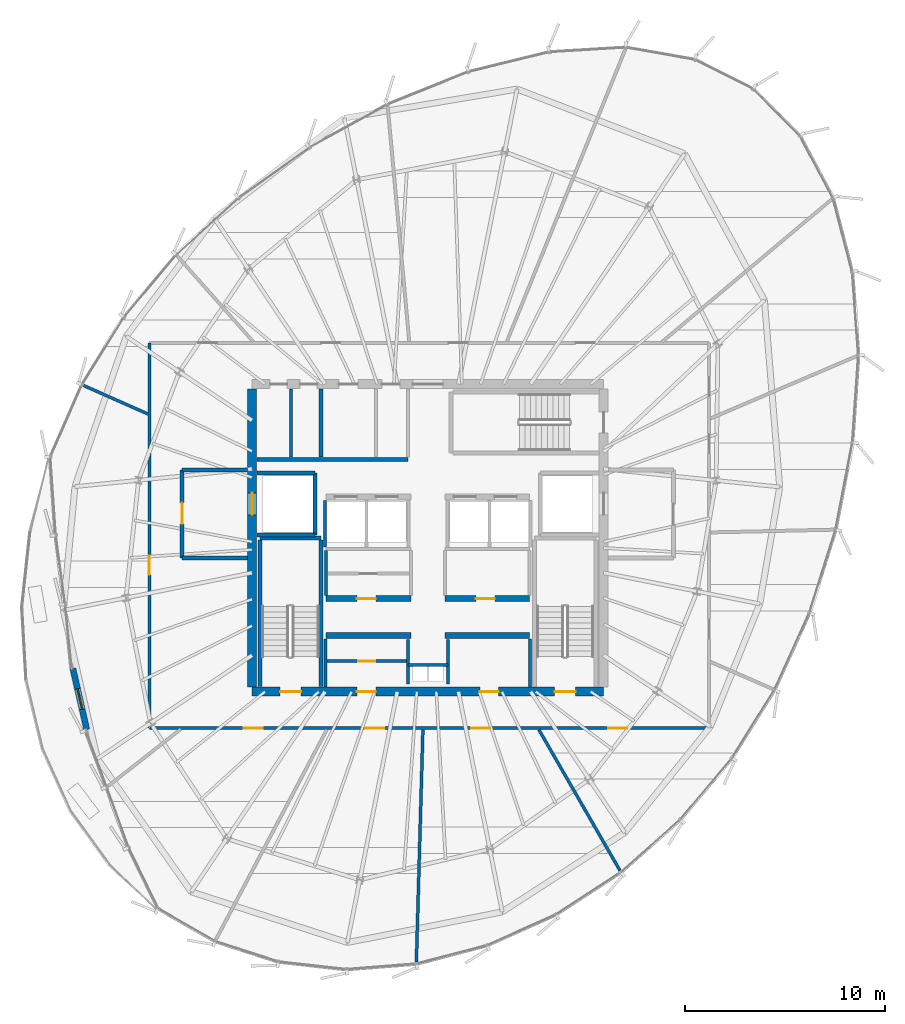
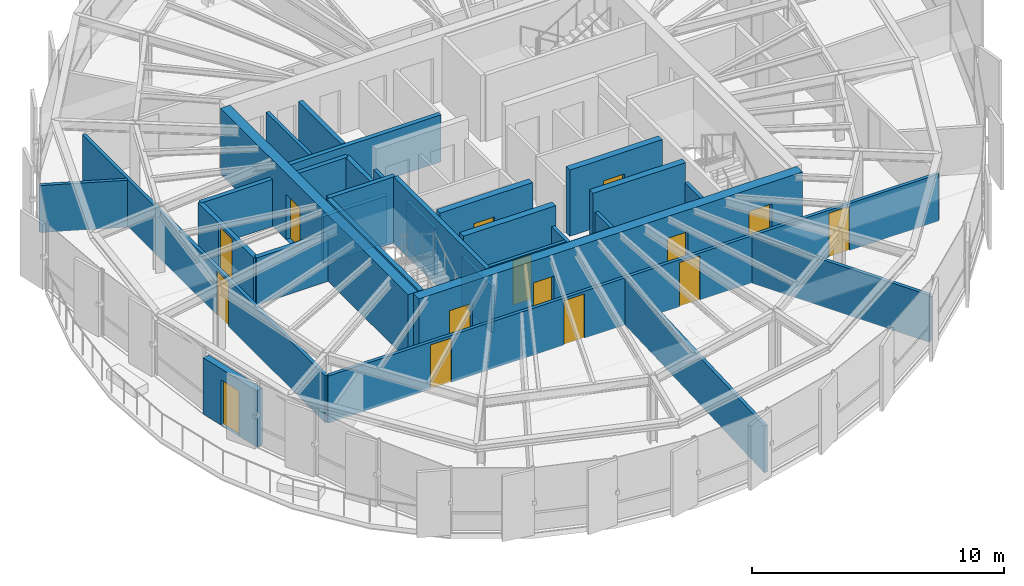
# One storey, part 26 of 32: 32 walls, 15 doors, 15 openings.
"""IFC4 building model written with IfcOpenShell, lengths in metres."""

from ifc_helpers import new_model, si_unit, direction, frame, frame_2d, origin, place, context, subcontext, project, spatial, rectangle, extrude, source, transform, mapped, material, layer, layer_set, type_object, element, fill, save


model = new_model("IFC4")

# Units and contexts
model_context = context("Model", 3, precision=1e-05, world=origin(), true_north=direction((0.0, 1.0)))
body_context = subcontext(model_context, "Body", "Model", "MODEL_VIEW")
ifc_project = project(units=[si_unit("LENGTHUNIT", "METRE"), si_unit("AREAUNIT", "SQUARE_METRE"), si_unit("VOLUMEUNIT", "CUBIC_METRE"), si_unit("PLANEANGLEUNIT", "RADIAN"), si_unit("MASSUNIT", "GRAM", prefix="KILO"), si_unit("THERMODYNAMICTEMPERATUREUNIT", "KELVIN")], contexts=[model_context])

# Site, building, storey
site_placement = place(None, origin())
site = spatial("IfcSite", under=ifc_project, at=site_placement, CompositionType="ELEMENT")
building_placement = place(site_placement, origin())
building = spatial("IfcBuilding", under=site, at=building_placement, Name="Kethvar Cultural Tower", CompositionType="ELEMENT")
storey_placement = place(building_placement, frame((0.0, 0.0, 252.550048828125)))
storey = spatial("IfcBuildingStorey", under=building, at=storey_placement, Name="L66", CompositionType="ELEMENT", Elevation=252.550048828125)

# Wall, openings, doors
ifc_material_1 = material(Name="Concrete C50/60", Category="concrete")
ifc_layer_1 = layer(ifc_material_1, 0.449951171875, Name="Concrete C50/60", Category="concrete")
ifc_layer_set_1 = layer_set([ifc_layer_1], Name="Concrete C50/60 (450 mm)")
wall_type_1 = type_object("IfcWallType", Name="WL-CORE-450", PredefinedType="SHEAR", material=ifc_layer_set_1)
wall_1_placement = place(storey_placement, frame((38.0, 20.10009765625, 0.0), z_axis=(0.0, 0.0, 1.0), x_axis=(1.0, 0.0, 0.0)))
wall_1 = element("IfcWall", 1, at=wall_1_placement, inside=storey, type_object=wall_type_1, Name="L66 Core Shear Wall S", PredefinedType="SHEAR", context=body_context, shape_type="SweptSolid", body=[
    extrude(rectangle(XDim=17.60009765625, YDim=0.449951171875, at=frame_2d((8.800048828125, 0.0))), origin(), (0.0, 0.0, 1.0), 3.2099609375),
])
opening_1_placement = place(wall_1_placement, frame((1.39990234375, 0.0, 0.0)))
opening_1 = element("IfcOpeningElement", 2, at=opening_1_placement, cuts=wall_1, Name="Opening D-L66-S1", PredefinedType="OPENING", context=body_context, shape_type="SweptSolid", body=[
    extrude(rectangle(XDim=1.050048828125, YDim=2.14990234375, at=frame_2d((0.52490234375, 1.074951171875))), frame((0.0, 0.23486328125, 0.0), z_axis=(0.0, -1.0, 0.0), x_axis=(1.0, 0.0, 0.0)), (0.0, 0.0, 1.0), 0.469970703125),
])
opening_2_placement = place(wall_1_placement, frame((15.14990234375, 0.0, 0.0)))
opening_2 = element("IfcOpeningElement", 3, at=opening_2_placement, cuts=wall_1, Name="Opening D-L66-ST2", PredefinedType="OPENING", context=body_context, shape_type="SweptSolid", body=[
    extrude(rectangle(XDim=1.050048828125, YDim=2.14990234375, at=frame_2d((0.52490234375, 1.074951171875))), frame((0.0, 0.23486328125, 0.0), z_axis=(0.0, -1.0, 0.0), x_axis=(1.0, 0.0, 0.0)), (0.0, 0.0, 1.0), 0.469970703125),
])
opening_3_placement = place(wall_1_placement, frame((5.25, 0.0, 0.0)))
opening_3 = element("IfcOpeningElement", 4, at=opening_3_placement, cuts=wall_1, Name="Opening D-L66-V1", PredefinedType="OPENING", context=body_context, shape_type="SweptSolid", body=[
    extrude(rectangle(XDim=0.949951171875, YDim=2.14990234375, at=frame_2d((0.47509765625, 1.074951171875))), frame((0.0, 0.23486328125, 0.0), z_axis=(0.0, -1.0, 0.0), x_axis=(1.0, 0.0, 0.0)), (0.0, 0.0, 1.0), 0.469970703125),
])
opening_4_placement = place(wall_1_placement, frame((11.39990234375, 0.0, 0.0)))
opening_4 = element("IfcOpeningElement", 5, at=opening_4_placement, cuts=wall_1, Name="Opening D-L66-V2", PredefinedType="OPENING", context=body_context, shape_type="SweptSolid", body=[
    extrude(rectangle(XDim=0.949951171875, YDim=2.14990234375, at=frame_2d((0.47509765625, 1.074951171875))), frame((0.0, 0.23486328125, 0.0), z_axis=(0.0, -1.0, 0.0), x_axis=(1.0, 0.0, 0.0)), (0.0, 0.0, 1.0), 0.469970703125),
])
ifc_material_2 = material(Name="Steel S355J2", Category="steel")
door_type_1 = type_object("IfcDoorType", Name="DR-FD60-1050", OperationType="NOTDEFINED", PredefinedType="DOOR", material=ifc_material_2)
shared_shape_1 = source(origin(), body_context, "Body", "SweptSolid", [
    extrude(rectangle(XDim=1.050048828125, YDim=2.14990234375, at=frame_2d((0.52490234375, 1.074951171875))), frame((0.0, 0.02490234375, 0.0), z_axis=(0.0, -1.0, 0.0), x_axis=(1.0, 0.0, 0.0)), (0.0, 0.0, 1.0), 0.050048828125),
])
door_1_placement = place(opening_1_placement, origin())
door_1 = element("IfcDoor", 6, at=door_1_placement, inside=storey, type_object=door_type_1, Name="L66 Exit Stair 1 Door", OperationType="SINGLE_SWING_LEFT", OverallHeight=2.14990234375, OverallWidth=1.050048828125, PredefinedType="DOOR", context=body_context, shape_type="MappedRepresentation", body=[
    mapped(shared_shape_1, transform((0.0, 0.0, 0.0), scale=1.0)),
])
fill(opening_1, door_1)
door_2_placement = place(opening_2_placement, origin())
door_2 = element("IfcDoor", 7, at=door_2_placement, inside=storey, type_object=door_type_1, Name="L66 Exit Stair 2 Door", OperationType="SINGLE_SWING_RIGHT", OverallHeight=2.14990234375, OverallWidth=1.050048828125, PredefinedType="DOOR", context=body_context, shape_type="MappedRepresentation", body=[
    mapped(shared_shape_1, transform((0.0, 0.0, 0.0), scale=1.0)),
])
fill(opening_2, door_2)
ifc_material_3 = material(Name="Architectural Oak Timber", Category="wood")
door_type_2 = type_object("IfcDoorType", Name="DR-FD30-950", OperationType="NOTDEFINED", PredefinedType="DOOR", material=ifc_material_3)
shared_shape_2 = source(origin(), body_context, "Body", "SweptSolid", [
    extrude(rectangle(XDim=0.949951171875, YDim=2.14990234375, at=frame_2d((0.47509765625, 1.074951171875))), frame((0.0, 0.02490234375, 0.0), z_axis=(0.0, -1.0, 0.0), x_axis=(1.0, 0.0, 0.0)), (0.0, 0.0, 1.0), 0.050048828125),
])
door_3_placement = place(opening_3_placement, origin())
door_3 = element("IfcDoor", 8, at=door_3_placement, inside=storey, type_object=door_type_2, Name="L66 Reclaimed West South Door", OperationType="SINGLE_SWING_LEFT", OverallHeight=2.14990234375, OverallWidth=0.949951171875, PredefinedType="DOOR", context=body_context, shape_type="MappedRepresentation", body=[
    mapped(shared_shape_2, transform((0.0, 0.0, 0.0), scale=1.0)),
])
fill(opening_3, door_3)
door_4_placement = place(opening_4_placement, origin())
door_4 = element("IfcDoor", 9, at=door_4_placement, inside=storey, type_object=door_type_2, Name="L66 Reclaimed East Server Door", OperationType="SINGLE_SWING_RIGHT", OverallHeight=2.14990234375, OverallWidth=0.949951171875, PredefinedType="DOOR", context=body_context, shape_type="MappedRepresentation", body=[
    mapped(shared_shape_2, transform((0.0, 0.0, 0.0), scale=1.0)),
])
fill(opening_4, door_4)

# Wall, opening, door
wall_2_placement = place(storey_placement, frame((38.0, 35.260009765625, 0.0), z_axis=(0.0, 0.0, 1.0), x_axis=(0.0, -1.0, 0.0)))
wall_2 = element("IfcWall", 10, at=wall_2_placement, inside=storey, type_object=wall_type_1, Name="L66 Core Shear Wall W", PredefinedType="SHEAR", context=body_context, shape_type="SweptSolid", body=[
    extrude(rectangle(XDim=14.919921875, YDim=0.449951171875, at=frame_2d((7.4599609375, 0.0))), origin(), (0.0, 0.0, 1.0), 3.2099609375),
])
opening_5_placement = place(wall_2_placement, frame((5.2099609375, 0.0, 0.0)))
opening_5 = element("IfcOpeningElement", 11, at=opening_5_placement, cuts=wall_2, Name="Opening LD-1", PredefinedType="OPENING", context=body_context, shape_type="SweptSolid", body=[
    extrude(rectangle(XDim=1.10009765625, YDim=2.199951171875, at=frame_2d((0.550048828125, 1.10009765625))), frame((0.0, 0.23486328125, 0.0), z_axis=(0.0, -1.0, 0.0), x_axis=(1.0, 0.0, 0.0)), (0.0, 0.0, 1.0), 0.469970703125),
])
door_type_3 = type_object("IfcDoorType", Name="DR-LIFT-SLIDE-1100", OperationType="NOTDEFINED", PredefinedType="DOOR", material=ifc_material_2)
shared_shape_3 = source(origin(), body_context, "Body", "SweptSolid", [
    extrude(rectangle(XDim=1.10009765625, YDim=2.199951171875, at=frame_2d((0.550048828125, 1.10009765625))), frame((0.0, 0.02490234375, 0.0), z_axis=(0.0, -1.0, 0.0), x_axis=(1.0, 0.0, 0.0)), (0.0, 0.0, 1.0), 0.050048828125),
])
door_5_placement = place(opening_5_placement, origin())
door_5 = element("IfcDoor", 12, at=door_5_placement, inside=storey, type_object=door_type_3, Name="L66 Firefighting Lift Landing Door FFL-01", OperationType="SLIDING_TO_LEFT", OverallHeight=2.199951171875, OverallWidth=1.10009765625, PredefinedType="DOOR", context=body_context, shape_type="MappedRepresentation", body=[
    mapped(shared_shape_3, transform((0.0, 0.0, 0.0), scale=1.0)),
])
fill(opening_5, door_5)

ifc_material_4 = material(Name="Concrete C40/50", Category="concrete")
ifc_layer_2 = layer(ifc_material_4, 0.300048828125, Name="Concrete C40/50", Category="concrete")
ifc_layer_set_2 = layer_set([ifc_layer_2], Name="Concrete C40/50 (300 mm)")
wall_type_2 = type_object("IfcWallType", Name="WL-EXT-TER-300", PredefinedType="SOLIDWALL", material=ifc_layer_set_2)
wall_3_placement = place(storey_placement, frame((29.720947265625, 18.1923828125, 0.0), z_axis=(0.0, 0.0, 1.0), x_axis=(-0.221248249318, 0.97521752044, 0.0)))
wall_3 = element("IfcWall", 13, at=wall_3_placement, inside=storey, type_object=wall_type_2, Name="L66 Sky Terrace Access Wall", PredefinedType="SOLIDWALL", context=body_context, shape_type="SweptSolid", body=[
    extrude(rectangle(XDim=3.1416015625, YDim=0.300048828125, at=frame_2d((1.57080078125, 0.0))), origin(), (0.0, 0.0, 1.0), 2.73486328125),
])
opening_6_placement = place(wall_3_placement, frame((1.0458984375, 0.0, 0.0)))
opening_6 = element("IfcOpeningElement", 14, at=opening_6_placement, cuts=wall_3, Name="Opening D-L66-T1", PredefinedType="OPENING", context=body_context, shape_type="SweptSolid", body=[
    extrude(rectangle(XDim=1.050048828125, YDim=2.199951171875, at=frame_2d((0.52490234375, 1.10009765625))), frame((0.0, 0.159912109375, 0.0), z_axis=(0.0, -1.0, 0.0), x_axis=(1.0, 0.0, 0.0)), (0.0, 0.0, 1.0), 0.320068359375),
])
ifc_material_5 = material(Name="Aluminium 6063-T6", Category="aluminium")
door_type_4 = type_object("IfcDoorType", Name="DR-EXT-TER-1050", OperationType="NOTDEFINED", PredefinedType="DOOR", material=ifc_material_5)
shared_shape_4 = source(origin(), body_context, "Body", "SweptSolid", [
    extrude(rectangle(XDim=1.050048828125, YDim=2.199951171875, at=frame_2d((0.52490234375, 1.10009765625))), frame((0.0, 0.02490234375, 0.0), z_axis=(0.0, -1.0, 0.0), x_axis=(1.0, 0.0, 0.0)), (0.0, 0.0, 1.0), 0.050048828125),
])
door_6_placement = place(opening_6_placement, origin())
door_6 = element("IfcDoor", 15, at=door_6_placement, inside=storey, type_object=door_type_4, Name="L66 Sky Terrace Access Door D-L66-T1", OperationType="SINGLE_SWING_RIGHT", OverallHeight=2.199951171875, OverallWidth=1.050048828125, PredefinedType="DOOR", context=body_context, shape_type="MappedRepresentation", body=[
    mapped(shared_shape_4, transform((0.0, 0.0, 0.0), scale=1.0)),
])
fill(opening_6, door_6)

# Walls
ifc_material_6 = material(Name="Gypsum Fireboard Partition")
ifc_layer_3 = layer(ifc_material_6, 0.14990234375, Name="Gypsum Fireboard Partition")
ifc_layer_set_3 = layer_set([ifc_layer_3], Name="Gypsum Fireboard Partition (150 mm)")
wall_type_3 = type_object("IfcWallType", Name="WL-FIRE-150", PredefinedType="PARTITIONING", material=ifc_layer_set_3)
wall_4_placement = place(storey_placement, frame((45.800048828125, 21.419921875, 0.0), z_axis=(0.0, 0.0, 1.0), x_axis=(1.0, 0.0, 0.0)))
element("IfcWall", 16, at=wall_4_placement, inside=storey, type_object=wall_type_3, Name="L66 Core Riser Wall", PredefinedType="PARTITIONING", context=body_context, shape_type="SweptSolid", body=[
    extrude(rectangle(XDim=2.0, YDim=0.14990234375, at=frame_2d((1.0, 0.0))), origin(), (0.0, 0.0, 1.0), 2.280029296875),
])
for number, where, z_axis, x_axis, name in (
    (17, (45.800048828125, 20.47998046875, 0.0), (0.0, 0.0, 1.0), (0.0, 1.0, 0.0), "L66 Core Riser West Wall"),
    (18, (47.800048828125, 20.47998046875, 0.0), (0.0, 0.0, 1.0), (0.0, 1.0, 0.0), "L66 Core Riser East Wall"),
):
    element("IfcWall", number, at=place(storey_placement, frame(where, z_axis=z_axis, x_axis=x_axis)), inside=storey, type_object=wall_type_3, Name=name, PredefinedType="PARTITIONING", context=body_context, shape_type="SweptSolid", body=[
        extrude(rectangle(XDim=2.239990234375, YDim=0.14990234375, at=frame_2d((1.1201171875, 0.0))), origin(), (0.0, 0.0, 1.0), 2.280029296875),
    ])
for number, where, z_axis, x_axis, name in (
    (19, (41.679931640625, 20.3349609375, 0.0), (0.0, 0.0, 1.0), (0.0, 1.0, 0.0), "L66 Reclaimed West Outer Wall"),
    (20, (51.919921875, 20.3349609375, 0.0), (0.0, 0.0, 1.0), (0.0, 1.0, 0.0), "L66 Reclaimed East Outer Wall"),
):
    element("IfcWall", number, at=place(storey_placement, frame(where, z_axis=z_axis, x_axis=x_axis)), inside=storey, type_object=wall_type_3, Name=name, PredefinedType="PARTITIONING", context=body_context, shape_type="SweptSolid", body=[
        extrude(rectangle(XDim=2.39501953125, YDim=0.14990234375, at=frame_2d((1.197509765625, 0.0))), origin(), (0.0, 0.0, 1.0), 2.280029296875),
    ])

# Wall, opening, door
wall_5_placement = place(storey_placement, frame((41.760009765625, 21.6201171875, 0.0), z_axis=(0.0, 0.0, 1.0), x_axis=(1.0, 0.0, 0.0)))
wall_5 = element("IfcWall", 21, at=wall_5_placement, inside=storey, type_object=wall_type_3, Name="L66 Vault Gallery Wall W", PredefinedType="PARTITIONING", context=body_context, shape_type="SweptSolid", body=[
    extrude(rectangle(XDim=3.9599609375, YDim=0.14990234375, at=frame_2d((1.97998046875, 0.0))), origin(), (0.0, 0.0, 1.0), 2.280029296875),
])
opening_7_placement = place(wall_5_placement, frame((1.550048828125, 0.0, 0.0)))
opening_7 = element("IfcOpeningElement", 22, at=opening_7_placement, cuts=wall_5, Name="Opening D-L66-V3", PredefinedType="OPENING", context=body_context, shape_type="SweptSolid", body=[
    extrude(rectangle(XDim=0.85009765625, YDim=2.14990234375, at=frame_2d((0.425048828125, 1.074951171875))), frame((0.0, 0.0849609375, 0.0), z_axis=(0.0, -1.0, 0.0), x_axis=(1.0, 0.0, 0.0)), (0.0, 0.0, 1.0), 0.169921875),
])
door_type_5 = type_object("IfcDoorType", Name="DR-FD30-850", OperationType="NOTDEFINED", PredefinedType="DOOR", material=ifc_material_2)
shared_shape_5 = source(origin(), body_context, "Body", "SweptSolid", [
    extrude(rectangle(XDim=0.85009765625, YDim=2.14990234375, at=frame_2d((0.425048828125, 1.074951171875))), frame((0.0, 0.02490234375, 0.0), z_axis=(0.0, -1.0, 0.0), x_axis=(1.0, 0.0, 0.0)), (0.0, 0.0, 1.0), 0.050048828125),
])
door_7_placement = place(opening_7_placement, origin())
door_7 = element("IfcDoor", 23, at=door_7_placement, inside=storey, type_object=door_type_5, Name="L66 Inner Vault Gallery Door", OperationType="SINGLE_SWING_LEFT", OverallHeight=2.14990234375, OverallWidth=0.85009765625, PredefinedType="DOOR", context=body_context, shape_type="MappedRepresentation", body=[
    mapped(shared_shape_5, transform((0.0, 0.0, 0.0), scale=1.0)),
])
fill(opening_7, door_7)

# Walls
wall_6_placement = place(storey_placement, frame((41.699951171875, 24.919921875, 0.0), z_axis=(0.0, 0.0, 1.0), x_axis=(0.0, 1.0, 0.0)))
element("IfcWall", 24, at=wall_6_placement, inside=storey, type_object=wall_type_3, Name="L66 Reclaimed Mid Outer W", PredefinedType="PARTITIONING", context=body_context, shape_type="SweptSolid", body=[
    extrude(rectangle(XDim=2.239990234375, YDim=0.14990234375, at=frame_2d((1.1201171875, 0.0))), origin(), (0.0, 0.0, 1.0), 2.280029296875),
])
wall_7_placement = place(storey_placement, frame((41.64990234375, 27.340087890625, 0.0), z_axis=(0.0, 0.0, 1.0), x_axis=(0.0, 1.0, 0.0)))
element("IfcWall", 25, at=wall_7_placement, inside=storey, type_object=wall_type_3, Name="L66 High-Rise Lift Shaft Outer Wall W", PredefinedType="PARTITIONING", context=body_context, shape_type="SweptSolid", body=[
    extrude(rectangle(XDim=2.33984375, YDim=0.14990234375, at=frame_2d((1.169921875, 0.0))), origin(), (0.0, 0.0, 1.0), 2.280029296875),
])
wall_8_placement = place(storey_placement, frame((39.949951171875, 31.85009765625, 0.0), z_axis=(0.0, 0.0, 1.0), x_axis=(0.0, 1.0, 0.0)))
element("IfcWall", 26, at=wall_8_placement, inside=storey, type_object=wall_type_3, Name="L66 NW Riser Divider", PredefinedType="PARTITIONING", context=body_context, shape_type="SweptSolid", body=[
    extrude(rectangle(XDim=3.414794921875, YDim=0.14990234375, at=frame_2d((1.70751953125, 0.0))), origin(), (0.0, 0.0, 1.0), 2.280029296875),
])

# Wall, openings, doors
wall_9_placement = place(storey_placement, frame((32.85009765625, 18.26904296875, 0.0), z_axis=(0.0, 0.0, 1.0), x_axis=(1.0, 0.0, 0.0)))
wall_9 = element("IfcWall", 27, at=wall_9_placement, inside=storey, type_object=wall_type_3, Name="L66 Corridor Rated Wall S", PredefinedType="PARTITIONING", context=body_context, shape_type="SweptSolid", body=[
    extrude(rectangle(XDim=28.037841796875, YDim=0.14990234375, at=frame_2d((14.01904296875, 0.0))), origin(), (0.0, 0.0, 1.0), 2.280029296875),
])
opening_8_placement = place(wall_9_placement, frame((4.72021484375, 0.0, 0.0)))
opening_8 = element("IfcOpeningElement", 28, at=opening_8_placement, cuts=wall_9, Name="Opening D-L66-01", PredefinedType="OPENING", context=body_context, shape_type="SweptSolid", body=[
    extrude(rectangle(XDim=0.949951171875, YDim=2.14990234375, at=frame_2d((0.47509765625, 1.074951171875))), frame((0.0, 0.0849609375, 0.0), z_axis=(0.0, -1.0, 0.0), x_axis=(1.0, 0.0, 0.0)), (0.0, 0.0, 1.0), 0.169921875),
])
opening_9_placement = place(wall_9_placement, frame((10.823974609375, 0.0, 0.0)))
opening_9 = element("IfcOpeningElement", 29, at=opening_9_placement, cuts=wall_9, Name="Opening D-L66-02", PredefinedType="OPENING", context=body_context, shape_type="SweptSolid", body=[
    extrude(rectangle(XDim=0.949951171875, YDim=2.14990234375, at=frame_2d((0.47509765625, 1.074951171875))), frame((0.0, 0.0849609375, 0.0), z_axis=(0.0, -1.0, 0.0), x_axis=(1.0, 0.0, 0.0)), (0.0, 0.0, 1.0), 0.169921875),
])
opening_10_placement = place(wall_9_placement, frame((16.1318359375, 0.0, 0.0)))
opening_10 = element("IfcOpeningElement", 30, at=opening_10_placement, cuts=wall_9, Name="Opening D-L66-03", PredefinedType="OPENING", context=body_context, shape_type="SweptSolid", body=[
    extrude(rectangle(XDim=0.949951171875, YDim=2.14990234375, at=frame_2d((0.47509765625, 1.074951171875))), frame((0.0, 0.0849609375, 0.0), z_axis=(0.0, -1.0, 0.0), x_axis=(1.0, 0.0, 0.0)), (0.0, 0.0, 1.0), 0.169921875),
])
opening_11_placement = place(wall_9_placement, frame((22.987060546875, 0.0, 0.0)))
opening_11 = element("IfcOpeningElement", 31, at=opening_11_placement, cuts=wall_9, Name="Opening D-L66-04", PredefinedType="OPENING", context=body_context, shape_type="SweptSolid", body=[
    extrude(rectangle(XDim=0.949951171875, YDim=2.14990234375, at=frame_2d((0.47509765625, 1.074951171875))), frame((0.0, 0.0849609375, 0.0), z_axis=(0.0, -1.0, 0.0), x_axis=(1.0, 0.0, 0.0)), (0.0, 0.0, 1.0), 0.169921875),
])
door_8_placement = place(opening_8_placement, origin())
door_8 = element("IfcDoor", 32, at=door_8_placement, inside=storey, type_object=door_type_2, Name="L66 Curatorial Administration Office 01 Door", OperationType="SINGLE_SWING_LEFT", OverallHeight=2.14990234375, OverallWidth=0.949951171875, PredefinedType="DOOR", context=body_context, shape_type="MappedRepresentation", body=[
    mapped(shared_shape_2, transform((0.0, 0.0, 0.0), scale=1.0)),
])
fill(opening_8, door_8)
door_9_placement = place(opening_9_placement, origin())
door_9 = element("IfcDoor", 33, at=door_9_placement, inside=storey, type_object=door_type_2, Name="L66 Art Monograph Boutique 02 Door", OperationType="SINGLE_SWING_RIGHT", OverallHeight=2.14990234375, OverallWidth=0.949951171875, PredefinedType="DOOR", context=body_context, shape_type="MappedRepresentation", body=[
    mapped(shared_shape_2, transform((0.0, 0.0, 0.0), scale=1.0)),
])
fill(opening_9, door_9)
door_10_placement = place(opening_10_placement, origin())
door_10 = element("IfcDoor", 34, at=door_10_placement, inside=storey, type_object=door_type_2, Name="L66 Poster Edition Shop 03 Door", OperationType="SINGLE_SWING_LEFT", OverallHeight=2.14990234375, OverallWidth=0.949951171875, PredefinedType="DOOR", context=body_context, shape_type="MappedRepresentation", body=[
    mapped(shared_shape_2, transform((0.0, 0.0, 0.0), scale=1.0)),
])
fill(opening_10, door_10)
door_11_placement = place(opening_11_placement, origin())
door_11 = element("IfcDoor", 35, at=door_11_placement, inside=storey, type_object=door_type_2, Name="L66 Periodicals Reading Lounge 04 Door", OperationType="SINGLE_SWING_RIGHT", OverallHeight=2.14990234375, OverallWidth=0.949951171875, PredefinedType="DOOR", context=body_context, shape_type="MappedRepresentation", body=[
    mapped(shared_shape_2, transform((0.0, 0.0, 0.0), scale=1.0)),
])
fill(opening_11, door_11)

# Wall, opening, door
wall_10_placement = place(storey_placement, frame((32.85009765625, 37.56201171875, 0.0), z_axis=(0.0, 0.0, 1.0), x_axis=(0.0, -1.0, 0.0)))
wall_10 = element("IfcWall", 36, at=wall_10_placement, inside=storey, type_object=wall_type_3, Name="L66 Corridor Rated Wall W", PredefinedType="PARTITIONING", context=body_context, shape_type="SweptSolid", body=[
    extrude(rectangle(XDim=19.29296875, YDim=0.14990234375, at=frame_2d((9.646484375, 0.0))), origin(), (0.0, 0.0, 1.0), 2.280029296875),
])
opening_12_placement = place(wall_10_placement, frame((10.664306640625, 0.0, 0.0)))
opening_12 = element("IfcOpeningElement", 37, at=opening_12_placement, cuts=wall_10, Name="Opening D-L66-12", PredefinedType="OPENING", context=body_context, shape_type="SweptSolid", body=[
    extrude(rectangle(XDim=0.949951171875, YDim=2.14990234375, at=frame_2d((0.47509765625, 1.074951171875))), frame((0.0, 0.0849609375, 0.0), z_axis=(0.0, -1.0, 0.0), x_axis=(1.0, 0.0, 0.0)), (0.0, 0.0, 1.0), 0.169921875),
])
door_12_placement = place(opening_12_placement, origin())
door_12 = element("IfcDoor", 38, at=door_12_placement, inside=storey, type_object=door_type_2, Name="L66 Architecture Quiet Library 12 Door", OperationType="SINGLE_SWING_RIGHT", OverallHeight=2.14990234375, OverallWidth=0.949951171875, PredefinedType="DOOR", context=body_context, shape_type="MappedRepresentation", body=[
    mapped(shared_shape_2, transform((0.0, 0.0, 0.0), scale=1.0)),
])
fill(opening_12, door_12)

# Walls
ifc_layer_4 = layer(ifc_material_4, 0.199951171875, Name="Concrete C40/50", Category="concrete")
ifc_layer_set_4 = layer_set([ifc_layer_4], Name="Concrete C40/50 (200 mm)")
wall_type_4 = type_object("IfcWallType", Name="WL-FIRE-200", PredefinedType="PARTITIONING", material=ifc_layer_set_4)
wall_11_placement = place(storey_placement, frame((41.14990234375, 27.949951171875, 0.0), z_axis=(0.0, 0.0, 1.0), x_axis=(0.0, 1.0, 0.0)))
element("IfcWall", 39, at=wall_11_placement, inside=storey, type_object=wall_type_4, Name="L66 FFL-01 Shaft Inner Wall", PredefinedType="PARTITIONING", context=body_context, shape_type="SweptSolid", body=[
    extrude(rectangle(XDim=3.10009765625, YDim=0.199951171875, at=frame_2d((1.550048828125, 0.0))), origin(), (0.0, 0.0, 1.0), 2.280029296875),
])
for number, where, z_axis, x_axis, name in (
    (40, (38.235107421875, 27.949951171875, 0.0), (0.0, 0.0, 1.0), (1.0, 0.0, 0.0), "L66 FFL-01 Shaft South Wall"),
    (41, (38.235107421875, 31.050048828125, 0.0), (0.0, 0.0, 1.0), (1.0, 0.0, 0.0), "L66 FFL-01 Shaft North Wall"),
):
    element("IfcWall", number, at=place(storey_placement, frame(where, z_axis=z_axis, x_axis=x_axis)), inside=storey, type_object=wall_type_4, Name=name, PredefinedType="PARTITIONING", context=body_context, shape_type="SweptSolid", body=[
        extrude(rectangle(XDim=2.914794921875, YDim=0.199951171875, at=frame_2d((1.45751953125, 0.0))), origin(), (0.0, 0.0, 1.0), 2.280029296875),
    ])

# Wall, opening, door
wall_12_placement = place(storey_placement, frame((34.5, 31.199951171875, 0.0), z_axis=(0.0, 0.0, 1.0), x_axis=(0.0, -1.0, 0.0)))
wall_12 = element("IfcWall", 42, at=wall_12_placement, inside=storey, type_object=wall_type_4, Name="L66 Firefighting Lobby 1 Wall", PredefinedType="PARTITIONING", context=body_context, shape_type="SweptSolid", body=[
    extrude(rectangle(XDim=4.39990234375, YDim=0.199951171875, at=frame_2d((2.199951171875, 0.0))), origin(), (0.0, 0.0, 1.0), 2.280029296875),
])
opening_13_placement = place(wall_12_placement, frame((1.64990234375, 0.0, 0.0)))
opening_13 = element("IfcOpeningElement", 43, at=opening_13_placement, cuts=wall_12, Name="Opening D-L66-F1", PredefinedType="OPENING", context=body_context, shape_type="SweptSolid", body=[
    extrude(rectangle(XDim=1.050048828125, YDim=2.14990234375, at=frame_2d((0.52490234375, 1.074951171875))), frame((0.0, 0.10986328125, 0.0), z_axis=(0.0, -1.0, 0.0), x_axis=(1.0, 0.0, 0.0)), (0.0, 0.0, 1.0), 0.219970703125),
])
door_13_placement = place(opening_13_placement, origin())
door_13 = element("IfcDoor", 44, at=door_13_placement, inside=storey, type_object=door_type_1, Name="L66 Firefighting Lobby 1 Fire Door", OperationType="SINGLE_SWING_LEFT", OverallHeight=2.14990234375, OverallWidth=1.050048828125, PredefinedType="DOOR", context=body_context, shape_type="MappedRepresentation", body=[
    mapped(shared_shape_1, transform((0.0, 0.0, 0.0), scale=1.0)),
])
fill(opening_13, door_13)

# Walls
for number, where, z_axis, x_axis, name in (
    (45, (34.5, 26.800048828125, 0.0), (0.0, 0.0, 1.0), (1.0, 0.0, 0.0), "L66 FF Lobby 1 South Wall"),
    (46, (34.5, 31.199951171875, 0.0), (0.0, 0.0, 1.0), (1.0, 0.0, 0.0), "L66 FF Lobby 1 North Wall"),
):
    element("IfcWall", number, at=place(storey_placement, frame(where, z_axis=z_axis, x_axis=x_axis)), inside=storey, type_object=wall_type_4, Name=name, PredefinedType="PARTITIONING", context=body_context, shape_type="SweptSolid", body=[
        extrude(rectangle(XDim=3.264892578125, YDim=0.199951171875, at=frame_2d((1.63232421875, 0.0))), origin(), (0.0, 0.0, 1.0), 2.280029296875),
    ])
wall_13_placement = place(storey_placement, frame((41.449951171875, 31.85009765625, 0.0), z_axis=(0.0, 0.0, 1.0), x_axis=(0.0, 1.0, 0.0)))
element("IfcWall", 47, at=wall_13_placement, inside=storey, type_object=wall_type_4, Name="L66 NW Core Pocket Wall", PredefinedType="PARTITIONING", context=body_context, shape_type="SweptSolid", body=[
    extrude(rectangle(XDim=3.414794921875, YDim=0.199951171875, at=frame_2d((1.70751953125, 0.0))), origin(), (0.0, 0.0, 1.0), 2.280029296875),
])
wall_14_placement = place(storey_placement, frame((38.235107421875, 31.72998046875, 0.0), z_axis=(0.0, 0.0, 1.0), x_axis=(1.0, 0.0, 0.0)))
element("IfcWall", 48, at=wall_14_placement, inside=storey, type_object=wall_type_4, Name="L66 North Core Sanitary South Wall", PredefinedType="PARTITIONING", context=body_context, shape_type="SweptSolid", body=[
    extrude(rectangle(XDim=7.56494140625, YDim=0.199951171875, at=frame_2d((3.782470703125, 0.0))), origin(), (0.0, 0.0, 1.0), 2.280029296875),
])
ifc_material_7 = material(Name="Gypsum Acoustic Partition")
ifc_layer_5 = layer(ifc_material_7, 0.14990234375, Name="Gypsum Acoustic Partition")
ifc_layer_set_5 = layer_set([ifc_layer_5], Name="Gypsum Acoustic Partition (150 mm)")
wall_type_5 = type_object("IfcWallType", Name="WL-PART-150", PredefinedType="PARTITIONING", material=ifc_layer_set_5)
wall_15_placement = place(storey_placement, frame((46.552001953125, 18.18896484375, 0.0), z_axis=(0.0, 0.0, 1.0), x_axis=(-0.028133929021, -0.999604162675, 0.0)))
element("IfcWall", 49, at=wall_15_placement, inside=storey, type_object=wall_type_5, Name="L66 Radial Partition Wall 03", PredefinedType="PARTITIONING", context=body_context, shape_type="SweptSolid", body=[
    extrude(rectangle(XDim=11.636962890625, YDim=0.14990234375, at=frame_2d((5.818359375, 0.0))), origin(), (0.0, 0.0, 1.0), 2.280029296875),
])
wall_16_placement = place(storey_placement, frame((52.355712890625, 18.19970703125, 0.0), z_axis=(0.0, 0.0, 1.0), x_axis=(0.498826091976, -0.866702099896, 0.0)))
element("IfcWall", 50, at=wall_16_placement, inside=storey, type_object=wall_type_5, Name="L66 Radial Partition Wall 04", PredefinedType="PARTITIONING", context=body_context, shape_type="SweptSolid", body=[
    extrude(rectangle(XDim=8.15283203125, YDim=0.14990234375, at=frame_2d((4.076416015625, 0.0))), origin(), (0.0, 0.0, 1.0), 2.280029296875),
])
wall_17_placement = place(storey_placement, frame((32.77685546875, 34.002685546875, 0.0), z_axis=(0.0, 0.0, 1.0), x_axis=(-0.914477528369, 0.404636689028, 0.0)))
element("IfcWall", 51, at=wall_17_placement, inside=storey, type_object=wall_type_5, Name="L66 Radial Partition Wall 12", PredefinedType="PARTITIONING", context=body_context, shape_type="SweptSolid", body=[
    extrude(rectangle(XDim=3.515869140625, YDim=0.14990234375, at=frame_2d((1.7578125, 0.0))), origin(), (0.0, 0.0, 1.0), 2.280029296875),
])
ifc_layer_6 = layer(ifc_material_1, 0.300048828125, Name="Concrete C50/60", Category="concrete")
ifc_layer_set_6 = layer_set([ifc_layer_6], Name="Concrete C50/60 (300 mm)")
wall_type_6 = type_object("IfcWallType", Name="WL-SHAFT-300", PredefinedType="SHEAR", material=ifc_layer_set_6)
for number, where, z_axis, x_axis, name in (
    (52, (41.699951171875, 22.89990234375, 0.0), (0.0, 0.0, 1.0), (1.0, 0.0, 0.0), "L66 Core Lift Spine Wall MID1W"),
    (53, (47.64990234375, 22.89990234375, 0.0), (0.0, 0.0, 1.0), (1.0, 0.0, 0.0), "L66 Core Lift Spine Wall MID1E"),
):
    element("IfcWall", number, at=place(storey_placement, frame(where, z_axis=z_axis, x_axis=x_axis)), inside=storey, type_object=wall_type_6, Name=name, PredefinedType="SHEAR", context=body_context, shape_type="SweptSolid", body=[
        extrude(rectangle(XDim=4.25, YDim=0.300048828125, at=frame_2d((2.125, 0.0))), origin(), (0.0, 0.0, 1.0), 3.2099609375),
    ])

# Wall, opening, door
wall_18_placement = place(storey_placement, frame((41.699951171875, 24.75, 0.0), z_axis=(0.0, 0.0, 1.0), x_axis=(1.0, 0.0, 0.0)))
wall_18 = element("IfcWall", 54, at=wall_18_placement, inside=storey, type_object=wall_type_6, Name="L66 Core Lift Spine Wall MID2W", PredefinedType="SHEAR", context=body_context, shape_type="SweptSolid", body=[
    extrude(rectangle(XDim=4.25, YDim=0.300048828125, at=frame_2d((2.125, 0.0))), origin(), (0.0, 0.0, 1.0), 3.2099609375),
])
opening_14_placement = place(wall_18_placement, frame((1.550048828125, 0.0, 0.0)))
opening_14 = element("IfcOpeningElement", 55, at=opening_14_placement, cuts=wall_18, Name="Opening D-L66-M1", PredefinedType="OPENING", context=body_context, shape_type="SweptSolid", body=[
    extrude(rectangle(XDim=0.949951171875, YDim=2.14990234375, at=frame_2d((0.47509765625, 1.074951171875))), frame((0.0, 0.159912109375, 0.0), z_axis=(0.0, -1.0, 0.0), x_axis=(1.0, 0.0, 0.0)), (0.0, 0.0, 1.0), 0.320068359375),
])
door_14_placement = place(opening_14_placement, origin())
door_14 = element("IfcDoor", 56, at=door_14_placement, inside=storey, type_object=door_type_2, Name="L66 Fibre Patch Door", OperationType="SINGLE_SWING_LEFT", OverallHeight=2.14990234375, OverallWidth=0.949951171875, PredefinedType="DOOR", context=body_context, shape_type="MappedRepresentation", body=[
    mapped(shared_shape_2, transform((0.0, 0.0, 0.0), scale=1.0)),
])
fill(opening_14, door_14)

wall_19_placement = place(storey_placement, frame((47.64990234375, 24.75, 0.0), z_axis=(0.0, 0.0, 1.0), x_axis=(1.0, 0.0, 0.0)))
wall_19 = element("IfcWall", 57, at=wall_19_placement, inside=storey, type_object=wall_type_6, Name="L66 Core Lift Spine Wall MID2E", PredefinedType="SHEAR", context=body_context, shape_type="SweptSolid", body=[
    extrude(rectangle(XDim=4.25, YDim=0.300048828125, at=frame_2d((2.125, 0.0))), origin(), (0.0, 0.0, 1.0), 3.2099609375),
])
opening_15_placement = place(wall_19_placement, frame((1.550048828125, 0.0, 0.0)))
opening_15 = element("IfcOpeningElement", 58, at=opening_15_placement, cuts=wall_19, Name="Opening D-L66-M2", PredefinedType="OPENING", context=body_context, shape_type="SweptSolid", body=[
    extrude(rectangle(XDim=0.949951171875, YDim=2.14990234375, at=frame_2d((0.47509765625, 1.074951171875))), frame((0.0, 0.159912109375, 0.0), z_axis=(0.0, -1.0, 0.0), x_axis=(1.0, 0.0, 0.0)), (0.0, 0.0, 1.0), 0.320068359375),
])
door_15_placement = place(opening_15_placement, origin())
door_15 = element("IfcDoor", 59, at=door_15_placement, inside=storey, type_object=door_type_2, Name="L66 Sky Archive Annex Door", OperationType="SINGLE_SWING_RIGHT", OverallHeight=2.14990234375, OverallWidth=0.949951171875, PredefinedType="DOOR", context=body_context, shape_type="MappedRepresentation", body=[
    mapped(shared_shape_2, transform((0.0, 0.0, 0.0), scale=1.0)),
])
fill(opening_15, door_15)

# Walls
ifc_layer_7 = layer(ifc_material_1, 0.199951171875, Name="Concrete C50/60", Category="concrete")
ifc_layer_set_7 = layer_set([ifc_layer_7], Name="Concrete C50/60 (200 mm)")
wall_type_7 = type_object("IfcWallType", Name="WL-STSHAFT-200", PredefinedType="SHEAR", material=ifc_layer_set_7)
wall_20_placement = place(storey_placement, frame((38.389892578125, 27.800048828125, 0.0), z_axis=(0.0, 0.0, 1.0), x_axis=(1.0, 0.0, 0.0)))
element("IfcWall", 60, at=wall_20_placement, inside=storey, type_object=wall_type_7, Name="L66 ST-01 Stair Shaft Wall FAR", PredefinedType="SHEAR", context=body_context, shape_type="SweptSolid", body=[
    extrude(rectangle(XDim=3.06005859375, YDim=0.199951171875, at=frame_2d((1.530029296875, 0.0))), origin(), (0.0, 0.0, 1.0), 3.2099609375),
])
for number, where, z_axis, x_axis, name in (
    (61, (41.449951171875, 27.699951171875, 0.0), (0.0, 0.0, 1.0), (0.0, -1.0, 0.0), "L66 ST-01 Stair Shaft Wall LEFT"),
    (62, (38.389892578125, 20.35009765625, 0.0), (0.0, 0.0, 1.0), (0.0, 1.0, 0.0), "L66 ST-01 Stair Shaft Wall RIGHT"),
):
    element("IfcWall", number, at=place(storey_placement, frame(where, z_axis=z_axis, x_axis=x_axis)), inside=storey, type_object=wall_type_7, Name=name, PredefinedType="SHEAR", context=body_context, shape_type="SweptSolid", body=[
        extrude(rectangle(XDim=7.349853515625, YDim=0.199951171875, at=frame_2d((3.6748046875, 0.0))), origin(), (0.0, 0.0, 1.0), 3.2099609375),
    ])

save(model, "model.ifc")
